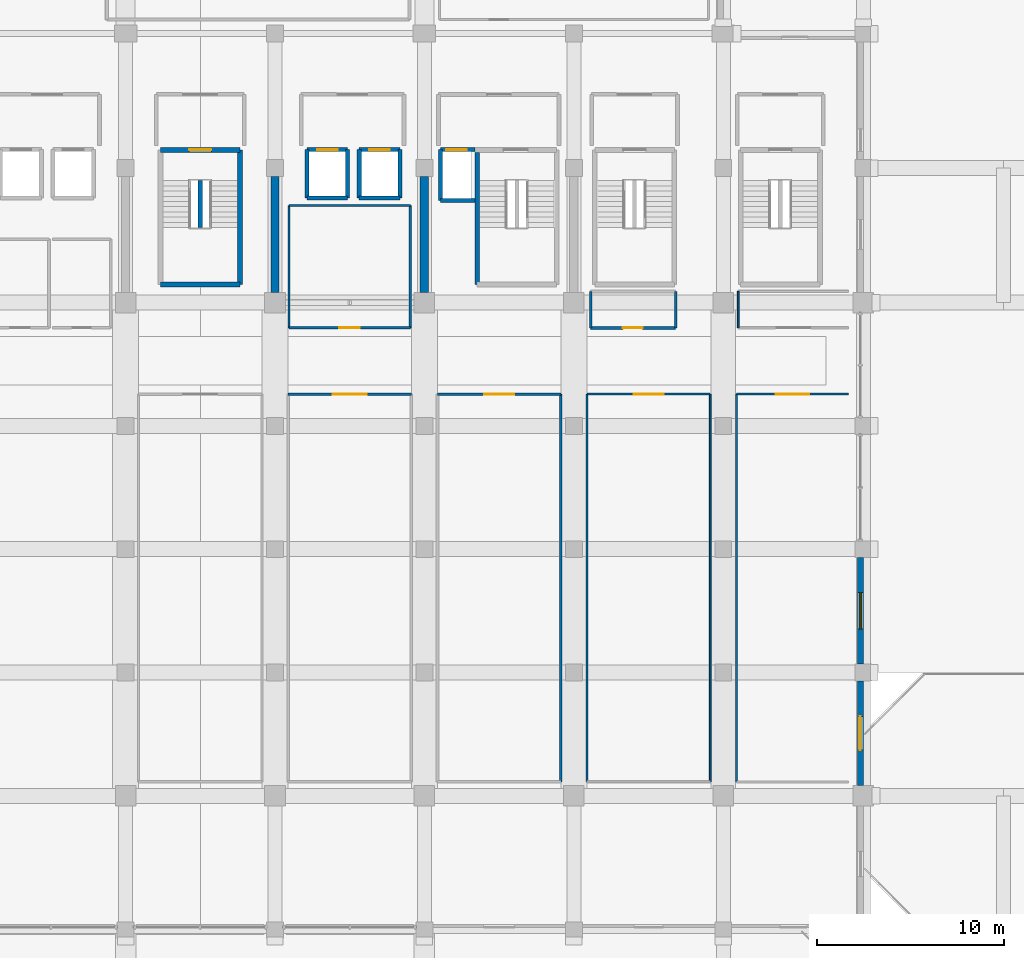
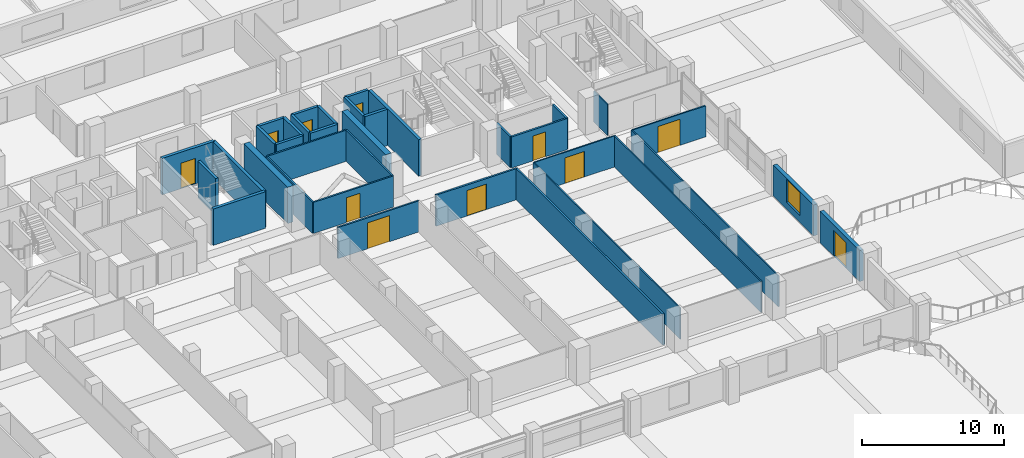
# One storey, part 38 of 49: 36 walls, 11 doors, 1 window, 12 openings.
"""IFC4 building model written with IfcOpenShell, lengths in metres."""

from ifc_helpers import new_model, si_unit, direction, frame, frame_2d, origin, place, context, subcontext, project, spatial, rectangle, extrude, material, layer, layer_set, type_object, element, fill, save


model = new_model("IFC4")

# Units and contexts
model_context = context("Model", 3, precision=1e-05, world=origin(), true_north=direction((0.0, 1.0)))
body_context = subcontext(model_context, "Body", "Model", "MODEL_VIEW")
ifc_project = project(units=[si_unit("LENGTHUNIT", "METRE"), si_unit("AREAUNIT", "SQUARE_METRE"), si_unit("VOLUMEUNIT", "CUBIC_METRE"), si_unit("PLANEANGLEUNIT", "RADIAN"), si_unit("MASSUNIT", "GRAM", prefix="KILO")], contexts=[model_context])

# Site, building, storey
site_placement = place(None, origin())
site = spatial("IfcSite", under=ifc_project, at=site_placement, CompositionType="ELEMENT")
building_placement = place(site_placement, origin())
building = spatial("IfcBuilding", under=site, at=building_placement, Name="Akrevak Sports Hall", CompositionType="ELEMENT")
storey_placement = place(building_placement, frame((0.0, 0.0, 24.14990234375)))
storey = spatial("IfcBuildingStorey", under=building, at=storey_placement, Name="L04", CompositionType="ELEMENT", Elevation=24.14990234375)

# Wall, opening, door
ifc_material_1 = material(Name="Limestone Ashlar", Category="stone")
ifc_layer_1 = layer(ifc_material_1, 0.070068359375, Name="Limestone Ashlar")
ifc_material_2 = material(Name="Mineral Wool Thermal Insulation", Category="insulation")
ifc_layer_2 = layer(ifc_material_2, 0.090087890625, Name="Mineral Wool Thermal Insulation")
ifc_material_3 = material(Name="Concrete C40/50", Category="concrete")
ifc_layer_3 = layer(ifc_material_3, 0.159912109375, Name="Concrete C40/50")
ifc_layer_set_1 = layer_set([ifc_layer_1, ifc_layer_2, ifc_layer_3], Name="Limestone Ashlar / Mineral Wool Thermal Insulation / Concrete C40/50")
wall_type_1 = type_object("IfcWallType", Name="ARC-WL-EXT-320", PredefinedType="SOLIDWALL", material=ifc_layer_set_1)
wall_1_placement = place(storey_placement, frame((115.340087890625, 29.35009765625, 0.0), z_axis=(0.0, 0.0, 1.0), x_axis=(0.0, 1.0, 0.0)))
wall_1 = element("IfcWall", 1, at=wall_1_placement, inside=storey, type_object=wall_type_1, Name="Tower Stone Facade Wall L04-E12", PredefinedType="SOLIDWALL", context=body_context, shape_type="SweptSolid", body=[
    extrude(rectangle(XDim=5.599853515625, YDim=0.320068359375, at=frame_2d((2.7998046875, 0.0))), origin(), (0.0, 0.0, 1.0), 2.68017578125),
])
opening_1_placement = place(wall_1_placement, frame((1.89990234375, 0.0, 0.0)))
opening_1 = element("IfcOpeningElement", 2, at=opening_1_placement, cuts=wall_1, Name="Opening TD-01", PredefinedType="OPENING", context=body_context, shape_type="SweptSolid", body=[
    extrude(rectangle(XDim=1.800048828125, YDim=2.199951171875, at=frame_2d((0.89990234375, 1.10009765625))), frame((0.0, 0.171875, 0.0), z_axis=(0.0, -1.0, 0.0), x_axis=(1.0, 0.0, 0.0)), (0.0, 0.0, 1.0), 0.343994140625),
])
ifc_material_4 = material(Name="Anodized Bronze Aluminium & Tempered Glass", Category="aluminium")
door_type_1 = type_object("IfcDoorType", Name="ARC-DR-TERR-180x220", OperationType="DOUBLE_DOOR_SINGLE_SWING", PredefinedType="DOOR", material=ifc_material_4)
door_1_placement = place(opening_1_placement, frame((1.800048828125, 0.0, 0.0), z_axis=(0.0, 0.0, 1.0), x_axis=(-1.0, 0.0, 0.0)))
door_1 = element("IfcDoor", 3, at=door_1_placement, inside=storey, type_object=door_type_1, Name="Podium East Garden Terrace Door TD-02", OperationType="DOUBLE_DOOR_SINGLE_SWING", OverallHeight=2.199951171875, OverallWidth=1.800048828125, PredefinedType="DOOR", context=body_context, shape_type="SweptSolid", body=[
    extrude(rectangle(XDim=1.800048828125, YDim=2.199951171875, at=frame_2d((0.89990234375, 1.10009765625))), frame((0.0, 0.02490234375, 0.0), z_axis=(0.0, -1.0, 0.0), x_axis=(1.0, 0.0, 0.0)), (0.0, 0.0, 1.0), 0.050048828125),
])
fill(opening_1, door_1)

# Wall, opening, window
wall_2_placement = place(storey_placement, frame((115.340087890625, 35.85009765625, 0.0), z_axis=(0.0, 0.0, 1.0), x_axis=(0.0, 1.0, 0.0)))
wall_2 = element("IfcWall", 4, at=wall_2_placement, inside=storey, type_object=wall_type_1, Name="Tower Stone Facade Wall L04-E13", PredefinedType="SOLIDWALL", context=body_context, shape_type="SweptSolid", body=[
    extrude(rectangle(XDim=5.699951171875, YDim=0.320068359375, at=frame_2d((2.85009765625, 0.0))), origin(), (0.0, 0.0, 1.0), 2.68017578125),
])
opening_2_placement = place(wall_2_placement, frame((1.875, 0.0, 0.6201171875)))
opening_2 = element("IfcOpeningElement", 5, at=opening_2_placement, cuts=wall_2, Name="Opening WN-44", PredefinedType="OPENING", context=body_context, shape_type="SweptSolid", body=[
    extrude(rectangle(XDim=1.949951171875, YDim=1.9599609375, at=frame_2d((0.97509765625, 0.97998046875))), frame((0.0, 0.171875, 0.0), z_axis=(0.0, -1.0, 0.0), x_axis=(1.0, 0.0, 0.0)), (0.0, 0.0, 1.0), 0.343994140625),
])
ifc_material_5 = material(Name="Thermally Broken Bronze Frame & Double Low-E Glass", Category="glass")
window_type = type_object("IfcWindowType", Name="ARC-WIN-SZ-1950x1960", PartitioningType="SINGLE_PANEL", PredefinedType="WINDOW", material=ifc_material_5)
window_placement = place(opening_2_placement, origin())
window = element("IfcWindow", 6, at=window_placement, inside=storey, type_object=window_type, Name="Tower Window L04-E13", OverallHeight=1.9599609375, OverallWidth=1.949951171875, PartitioningType="SINGLE_PANEL", PredefinedType="WINDOW", context=body_context, shape_type="SweptSolid", body=[
    extrude(rectangle(XDim=1.949951171875, YDim=1.9599609375, at=frame_2d((0.97509765625, 0.97998046875))), frame((0.0, 0.030029296875, 0.0), z_axis=(0.0, -1.0, 0.0), x_axis=(1.0, 0.0, 0.0)), (0.0, 0.0, 1.0), 0.06005859375),
])
fill(opening_2, window)

# Wall, opening, door
ifc_material_6 = material(Name="Sanitary Cubicle Partition", Category="gypsum")
ifc_layer_4 = layer(ifc_material_6, 0.10009765625, Name="Sanitary Cubicle Partition")
ifc_layer_set_2 = layer_set([ifc_layer_4], Name="Sanitary Cubicle Partition")
wall_type_2 = type_object("IfcWallType", Name="ARC-WL-PRT-100", PredefinedType="PARTITIONING", material=ifc_layer_set_2)
wall_3_placement = place(storey_placement, frame((100.699951171875, 50.300048828125, 0.0), z_axis=(0.0, 0.0, 1.0), x_axis=(1.0, 0.0, 0.0)))
wall_3 = element("IfcWall", 7, at=wall_3_placement, inside=storey, type_object=wall_type_2, Name="Interior Partition Bosphorus Honors Reception Salon (N)", PredefinedType="PARTITIONING", context=body_context, shape_type="SweptSolid", body=[
    extrude(rectangle(XDim=6.60009765625, YDim=0.10009765625, at=frame_2d((3.300048828125, 0.0))), origin(), (0.0, 0.0, 1.0), 2.68017578125),
])
opening_3_placement = place(wall_3_placement, frame((2.5, 0.0, 0.0)))
opening_3 = element("IfcOpeningElement", 8, at=opening_3_placement, cuts=wall_3, Name="Opening ID-03", PredefinedType="OPENING", context=body_context, shape_type="SweptSolid", body=[
    extrude(rectangle(XDim=1.60009765625, YDim=2.199951171875, at=frame_2d((0.800048828125, 1.10009765625))), frame((0.0, 0.06201171875, 0.0), z_axis=(0.0, -1.0, 0.0), x_axis=(1.0, 0.0, 0.0)), (0.0, 0.0, 1.0), 0.1240234375),
])
ifc_material_7 = material(Name="Hardwood Oak & Safety Glass", Category="wood")
door_type_2 = type_object("IfcDoorType", Name="ARC-DR-HALL-160x220", OperationType="DOUBLE_DOOR_SINGLE_SWING", PredefinedType="DOOR", material=ifc_material_7)
door_2_placement = place(opening_3_placement, origin())
door_2 = element("IfcDoor", 9, at=door_2_placement, inside=storey, type_object=door_type_2, Name="Door to Bosphorus Honors Reception Salon", OperationType="DOUBLE_DOOR_SINGLE_SWING", OverallHeight=2.199951171875, OverallWidth=1.60009765625, PredefinedType="DOOR", context=body_context, shape_type="SweptSolid", body=[
    extrude(rectangle(XDim=1.60009765625, YDim=2.199951171875, at=frame_2d((0.800048828125, 1.10009765625))), frame((0.0, 0.02490234375, 0.0), z_axis=(0.0, -1.0, 0.0), x_axis=(1.0, 0.0, 0.0)), (0.0, 0.0, 1.0), 0.050048828125),
])
fill(opening_3, door_2)

# Walls
for number, where, z_axis, x_axis, name in (
    (10, (100.699951171875, 29.550048828125, 0.0), (0.0, 0.0, 1.0), (0.0, 1.0, 0.0), "Interior Partition Bosphorus Honors Reception Salon (W)"),
    (11, (107.300048828125, 29.550048828125, 0.0), (0.0, 0.0, 1.0), (0.0, 1.0, 0.0), "Interior Partition Bosphorus Honors Reception Salon (E)"),
):
    element("IfcWall", number, at=place(storey_placement, frame(where, z_axis=z_axis, x_axis=x_axis)), inside=storey, type_object=wall_type_2, Name=name, PredefinedType="PARTITIONING", context=body_context, shape_type="SweptSolid", body=[
        extrude(rectangle(XDim=20.75, YDim=0.10009765625, at=frame_2d((10.375, 0.0))), origin(), (0.0, 0.0, 1.0), 2.68017578125),
    ])
wall_4_placement = place(storey_placement, frame((108.800048828125, 53.85009765625, 0.0), z_axis=(0.0, 0.0, 1.0), x_axis=(0.0, 1.0, 0.0)))
element("IfcWall", 12, at=wall_4_placement, inside=storey, type_object=wall_type_2, Name="Interior Partition Athletic Equipment & Trophy Storage L04 (W)", PredefinedType="PARTITIONING", context=body_context, shape_type="SweptSolid", body=[
    extrude(rectangle(XDim=1.949951171875, YDim=0.10009765625, at=frame_2d((0.97509765625, 0.0))), origin(), (0.0, 0.0, 1.0), 2.68017578125),
])

# Wall, opening, door
ifc_material_8 = material(Name="Lightweight Office Partition", Category="gypsum")
ifc_layer_5 = layer(ifc_material_8, 0.110107421875, Name="Lightweight Office Partition")
ifc_layer_set_3 = layer_set([ifc_layer_5], Name="Lightweight Office Partition")
wall_type_3 = type_object("IfcWallType", Name="ARC-WL-PRT-110", PredefinedType="PARTITIONING", material=ifc_layer_set_3)
wall_5_placement = place(storey_placement, frame((108.699951171875, 50.300048828125, 0.0), z_axis=(0.0, 0.0, 1.0), x_axis=(1.0, 0.0, 0.0)))
wall_5 = element("IfcWall", 13, at=wall_5_placement, inside=storey, type_object=wall_type_3, Name="Interior Partition Olympic Museum & Honors Salon East (N)", PredefinedType="PARTITIONING", context=body_context, shape_type="SweptSolid", body=[
    extrude(rectangle(XDim=6.0, YDim=0.110107421875, at=frame_2d((3.0, 0.0))), origin(), (0.0, 0.0, 1.0), 2.68017578125),
])
opening_4_placement = place(wall_5_placement, frame((2.10009765625, 0.0, 0.0)))
opening_4 = element("IfcOpeningElement", 14, at=opening_4_placement, cuts=wall_5, Name="Opening ID-02", PredefinedType="OPENING", context=body_context, shape_type="SweptSolid", body=[
    extrude(rectangle(XDim=1.800048828125, YDim=2.25, at=frame_2d((0.89990234375, 1.125))), frame((0.0, 0.06689453125, 0.0), z_axis=(0.0, -1.0, 0.0), x_axis=(1.0, 0.0, 0.0)), (0.0, 0.0, 1.0), 0.134033203125),
])
door_type_3 = type_object("IfcDoorType", Name="ARC-DR-HALL-180x225", OperationType="DOUBLE_DOOR_SINGLE_SWING", PredefinedType="DOOR", material=ifc_material_7)
door_3_placement = place(opening_4_placement, origin())
door_3 = element("IfcDoor", 15, at=door_3_placement, inside=storey, type_object=door_type_3, Name="Door to Olympic Museum & Honors Salon East", OperationType="DOUBLE_DOOR_SINGLE_SWING", OverallHeight=2.25, OverallWidth=1.800048828125, PredefinedType="DOOR", context=body_context, shape_type="SweptSolid", body=[
    extrude(rectangle(XDim=1.800048828125, YDim=2.25, at=frame_2d((0.89990234375, 1.125))), frame((0.0, 0.02490234375, 0.0), z_axis=(0.0, -1.0, 0.0), x_axis=(1.0, 0.0, 0.0)), (0.0, 0.0, 1.0), 0.050048828125),
])
fill(opening_4, door_3)

# Wall
wall_6_placement = place(storey_placement, frame((108.699951171875, 29.550048828125, 0.0), z_axis=(0.0, 0.0, 1.0), x_axis=(0.0, 1.0, 0.0)))
element("IfcWall", 16, at=wall_6_placement, inside=storey, type_object=wall_type_3, Name="Interior Partition Olympic Museum & Honors Salon East (W)", PredefinedType="PARTITIONING", context=body_context, shape_type="SweptSolid", body=[
    extrude(rectangle(XDim=20.75, YDim=0.110107421875, at=frame_2d((10.375, 0.0))), origin(), (0.0, 0.0, 1.0), 2.68017578125),
])

# Wall, opening, door
ifc_material_9 = material(Name="Acoustic Metal Stud Partition", Category="gypsum")
ifc_layer_6 = layer(ifc_material_9, 0.1298828125, Name="Acoustic Metal Stud Partition")
ifc_layer_set_4 = layer_set([ifc_layer_6], Name="Acoustic Metal Stud Partition")
wall_type_4 = type_object("IfcWallType", Name="ARC-WL-PRT-130", PredefinedType="PARTITIONING", material=ifc_layer_set_4)
wall_7_placement = place(storey_placement, frame((84.699951171875, 50.300048828125, 0.0), z_axis=(0.0, 0.0, 1.0), x_axis=(1.0, 0.0, 0.0)))
wall_7 = element("IfcWall", 17, at=wall_7_placement, inside=storey, type_object=wall_type_4, Name="Interior Partition Olympic Heritage Exhibition Gallery 2 (N)", PredefinedType="PARTITIONING", context=body_context, shape_type="SweptSolid", body=[
    extrude(rectangle(XDim=6.60009765625, YDim=0.1298828125, at=frame_2d((3.300048828125, 0.0))), origin(), (0.0, 0.0, 1.0), 2.68017578125),
])
opening_5_placement = place(wall_7_placement, frame((2.39990234375, 0.0, 0.0)))
opening_5 = element("IfcOpeningElement", 18, at=opening_5_placement, cuts=wall_7, Name="Opening ID-02", PredefinedType="OPENING", context=body_context, shape_type="SweptSolid", body=[
    extrude(rectangle(XDim=1.800048828125, YDim=2.25, at=frame_2d((0.89990234375, 1.125))), frame((0.0, 0.076904296875, 0.0), z_axis=(0.0, -1.0, 0.0), x_axis=(1.0, 0.0, 0.0)), (0.0, 0.0, 1.0), 0.15380859375),
])
door_4_placement = place(opening_5_placement, origin())
door_4 = element("IfcDoor", 19, at=door_4_placement, inside=storey, type_object=door_type_3, Name="Door to Olympic Heritage Exhibition Gallery 2", OperationType="DOUBLE_DOOR_SINGLE_SWING", OverallHeight=2.25, OverallWidth=1.800048828125, PredefinedType="DOOR", context=body_context, shape_type="SweptSolid", body=[
    extrude(rectangle(XDim=1.800048828125, YDim=2.25, at=frame_2d((0.89990234375, 1.125))), frame((0.0, 0.02490234375, 0.0), z_axis=(0.0, -1.0, 0.0), x_axis=(1.0, 0.0, 0.0)), (0.0, 0.0, 1.0), 0.050048828125),
])
fill(opening_5, door_4)

wall_8_placement = place(storey_placement, frame((84.75, 53.85009765625, 0.0), z_axis=(0.0, 0.0, 1.0), x_axis=(1.0, 0.0, 0.0)))
wall_8 = element("IfcWall", 20, at=wall_8_placement, inside=storey, type_object=wall_type_4, Name="Interior Partition Tournament Operations Office L04-E1 (S)", PredefinedType="PARTITIONING", context=body_context, shape_type="SweptSolid", body=[
    extrude(rectangle(XDim=6.5, YDim=0.1298828125, at=frame_2d((3.25, 0.0))), origin(), (0.0, 0.0, 1.0), 2.68017578125),
])
opening_6_placement = place(wall_8_placement, frame((2.699951171875, 0.0, 0.0)))
opening_6 = element("IfcOpeningElement", 21, at=opening_6_placement, cuts=wall_8, Name="Opening ID-04", PredefinedType="OPENING", context=body_context, shape_type="SweptSolid", body=[
    extrude(rectangle(XDim=1.10009765625, YDim=2.14990234375, at=frame_2d((0.550048828125, 1.074951171875))), frame((0.0, 0.076904296875, 0.0), z_axis=(0.0, -1.0, 0.0), x_axis=(1.0, 0.0, 0.0)), (0.0, 0.0, 1.0), 0.15380859375),
])
ifc_material_10 = material(Name="Hardwood Oak Acoustic Leaf", Category="wood")
door_type_4 = type_object("IfcDoorType", Name="ARC-DR-OFF-110x215", OperationType="NOTDEFINED", PredefinedType="DOOR", material=ifc_material_10)
door_5_placement = place(opening_6_placement, frame((1.10009765625, 0.0, 0.0), z_axis=(0.0, 0.0, 1.0), x_axis=(-1.0, 0.0, 0.0)))
door_5 = element("IfcDoor", 22, at=door_5_placement, inside=storey, type_object=door_type_4, Name="Door to Tournament Operations Office L04-E1", OperationType="SINGLE_SWING_RIGHT", OverallHeight=2.14990234375, OverallWidth=1.10009765625, PredefinedType="DOOR", context=body_context, shape_type="SweptSolid", body=[
    extrude(rectangle(XDim=1.10009765625, YDim=2.14990234375, at=frame_2d((0.550048828125, 1.074951171875))), frame((0.0, 0.02490234375, 0.0), z_axis=(0.0, -1.0, 0.0), x_axis=(1.0, 0.0, 0.0)), (0.0, 0.0, 1.0), 0.050048828125),
])
fill(opening_6, door_5)

# Walls
wall_9_placement = place(storey_placement, frame((84.75, 60.39990234375, 0.0), z_axis=(0.0, 0.0, 1.0), x_axis=(1.0, 0.0, 0.0)))
element("IfcWall", 23, at=wall_9_placement, inside=storey, type_object=wall_type_4, Name="Interior Partition Tournament Operations Office L04-E1 (N)", PredefinedType="PARTITIONING", context=body_context, shape_type="SweptSolid", body=[
    extrude(rectangle(XDim=6.5, YDim=0.1298828125, at=frame_2d((3.25, 0.0))), origin(), (0.0, 0.0, 1.0), 2.68017578125),
])
for number, where, z_axis, x_axis, name in (
    (24, (84.75, 53.85009765625, 0.0), (0.0, 0.0, 1.0), (0.0, 1.0, 0.0), "Interior Partition Tournament Operations Office L04-E1 (W)"),
    (25, (91.25, 53.85009765625, 0.0), (0.0, 0.0, 1.0), (0.0, 1.0, 0.0), "Interior Partition Tournament Operations Office L04-E1 (E)"),
):
    element("IfcWall", number, at=place(storey_placement, frame(where, z_axis=z_axis, x_axis=x_axis)), inside=storey, type_object=wall_type_4, Name=name, PredefinedType="PARTITIONING", context=body_context, shape_type="SweptSolid", body=[
        extrude(rectangle(XDim=6.5498046875, YDim=0.1298828125, at=frame_2d((3.27490234375, 0.0))), origin(), (0.0, 0.0, 1.0), 2.68017578125),
    ])

# Wall, opening, door
ifc_material_11 = material(Name="Double Stud Acoustic Gypsum Partition", Category="gypsum")
ifc_layer_7 = layer(ifc_material_11, 0.14990234375, Name="Double Stud Acoustic Gypsum Partition")
ifc_layer_set_5 = layer_set([ifc_layer_7], Name="Double Stud Acoustic Gypsum Partition")
wall_type_5 = type_object("IfcWallType", Name="ARC-WL-PRT-150", PredefinedType="PARTITIONING", material=ifc_layer_set_5)
wall_10_placement = place(storey_placement, frame((92.699951171875, 50.300048828125, 0.0), z_axis=(0.0, 0.0, 1.0), x_axis=(1.0, 0.0, 0.0)))
wall_10 = element("IfcWall", 26, at=wall_10_placement, inside=storey, type_object=wall_type_5, Name="Interior Partition International Sports Diplomacy Salon (N)", PredefinedType="PARTITIONING", context=body_context, shape_type="SweptSolid", body=[
    extrude(rectangle(XDim=6.60009765625, YDim=0.14990234375, at=frame_2d((3.300048828125, 0.0))), origin(), (0.0, 0.0, 1.0), 2.68017578125),
])
opening_7_placement = place(wall_10_placement, frame((2.5, 0.0, 0.0)))
opening_7 = element("IfcOpeningElement", 27, at=opening_7_placement, cuts=wall_10, Name="Opening ID-03", PredefinedType="OPENING", context=body_context, shape_type="SweptSolid", body=[
    extrude(rectangle(XDim=1.60009765625, YDim=2.199951171875, at=frame_2d((0.800048828125, 1.10009765625))), frame((0.0, 0.0869140625, 0.0), z_axis=(0.0, -1.0, 0.0), x_axis=(1.0, 0.0, 0.0)), (0.0, 0.0, 1.0), 0.173828125),
])
door_6_placement = place(opening_7_placement, origin())
door_6 = element("IfcDoor", 28, at=door_6_placement, inside=storey, type_object=door_type_2, Name="Door to International Sports Diplomacy Salon", OperationType="DOUBLE_DOOR_SINGLE_SWING", OverallHeight=2.199951171875, OverallWidth=1.60009765625, PredefinedType="DOOR", context=body_context, shape_type="SweptSolid", body=[
    extrude(rectangle(XDim=1.60009765625, YDim=2.199951171875, at=frame_2d((0.800048828125, 1.10009765625))), frame((0.0, 0.02490234375, 0.0), z_axis=(0.0, -1.0, 0.0), x_axis=(1.0, 0.0, 0.0)), (0.0, 0.0, 1.0), 0.050048828125),
])
fill(opening_7, door_6)

# Wall
wall_11_placement = place(storey_placement, frame((99.300048828125, 29.550048828125, 0.0), z_axis=(0.0, 0.0, 1.0), x_axis=(0.0, 1.0, 0.0)))
element("IfcWall", 29, at=wall_11_placement, inside=storey, type_object=wall_type_5, Name="Interior Partition International Sports Diplomacy Salon (E)", PredefinedType="PARTITIONING", context=body_context, shape_type="SweptSolid", body=[
    extrude(rectangle(XDim=20.75, YDim=0.14990234375, at=frame_2d((10.375, 0.0))), origin(), (0.0, 0.0, 1.0), 2.68017578125),
])

# Wall, opening, door
wall_12_placement = place(storey_placement, frame((100.89990234375, 53.85009765625, 0.0), z_axis=(0.0, 0.0, 1.0), x_axis=(1.0, 0.0, 0.0)))
wall_12 = element("IfcWall", 30, at=wall_12_placement, inside=storey, type_object=wall_type_5, Name="Interior Partition Tournament Operations Office L04-E2 (S)", PredefinedType="PARTITIONING", context=body_context, shape_type="SweptSolid", body=[
    extrude(rectangle(XDim=4.550048828125, YDim=0.14990234375, at=frame_2d((2.27490234375, 0.0))), origin(), (0.0, 0.0, 1.0), 2.68017578125),
])
opening_8_placement = place(wall_12_placement, frame((1.72509765625, 0.0, 0.0)))
opening_8 = element("IfcOpeningElement", 31, at=opening_8_placement, cuts=wall_12, Name="Opening ID-05", PredefinedType="OPENING", context=body_context, shape_type="SweptSolid", body=[
    extrude(rectangle(XDim=1.050048828125, YDim=2.14990234375, at=frame_2d((0.52490234375, 1.074951171875))), frame((0.0, 0.0869140625, 0.0), z_axis=(0.0, -1.0, 0.0), x_axis=(1.0, 0.0, 0.0)), (0.0, 0.0, 1.0), 0.173828125),
])
door_type_5 = type_object("IfcDoorType", Name="ARC-DR-OFF-105x215", OperationType="NOTDEFINED", PredefinedType="DOOR", material=ifc_material_10)
door_7_placement = place(opening_8_placement, origin())
door_7 = element("IfcDoor", 32, at=door_7_placement, inside=storey, type_object=door_type_5, Name="Door to Tournament Operations Office L04-E2", OperationType="SINGLE_SWING_LEFT", OverallHeight=2.14990234375, OverallWidth=1.050048828125, PredefinedType="DOOR", context=body_context, shape_type="SweptSolid", body=[
    extrude(rectangle(XDim=1.050048828125, YDim=2.14990234375, at=frame_2d((0.52490234375, 1.074951171875))), frame((0.0, 0.02490234375, 0.0), z_axis=(0.0, -1.0, 0.0), x_axis=(1.0, 0.0, 0.0)), (0.0, 0.0, 1.0), 0.050048828125),
])
fill(opening_8, door_7)

# Walls
for number, where, z_axis, x_axis, name in (
    (33, (100.89990234375, 53.85009765625, 0.0), (0.0, 0.0, 1.0), (0.0, 1.0, 0.0), "Interior Partition Tournament Operations Office L04-E2 (W)"),
    (34, (105.449951171875, 53.85009765625, 0.0), (0.0, 0.0, 1.0), (0.0, 1.0, 0.0), "Interior Partition Tournament Operations Office L04-E2 (E)"),
):
    element("IfcWall", number, at=place(storey_placement, frame(where, z_axis=z_axis, x_axis=x_axis)), inside=storey, type_object=wall_type_5, Name=name, PredefinedType="PARTITIONING", context=body_context, shape_type="SweptSolid", body=[
        extrude(rectangle(XDim=1.949951171875, YDim=0.14990234375, at=frame_2d((0.97509765625, 0.0))), origin(), (0.0, 0.0, 1.0), 2.68017578125),
    ])
ifc_layer_8 = layer(ifc_material_3, 0.219970703125, Name="Concrete C40/50")
ifc_layer_set_6 = layer_set([ifc_layer_8], Name="Concrete C40/50")
wall_type_6 = type_object("IfcWallType", Name="ARC-WL-PRT-220", PredefinedType="PARTITIONING", material=ifc_layer_set_6)
wall_13_placement = place(storey_placement, frame((80.0, 59.215087890625, 0.0), z_axis=(0.0, 0.0, 1.0), x_axis=(0.0, 1.0, 0.0)))
element("IfcWall", 35, at=wall_13_placement, inside=storey, type_object=wall_type_6, Name="Stair ST3 Central Spine Wall (L04)", PredefinedType="PARTITIONING", context=body_context, shape_type="SweptSolid", body=[
    extrude(rectangle(XDim=2.52001953125, YDim=0.219970703125, at=frame_2d((1.260009765625, 0.0))), origin(), (0.0, 0.0, 1.0), 3.14013671875),
])
ifc_material_12 = material(Name="Concrete C50/60", Category="concrete")
ifc_layer_9 = layer(ifc_material_12, 0.219970703125, Name="Concrete C50/60")
ifc_layer_set_7 = layer_set([ifc_layer_9], Name="Concrete C50/60")
wall_type_7 = type_object("IfcWallType", Name="ARC-WL-SHAFT-220", PredefinedType="SHEAR", material=ifc_layer_set_7)
wall_14_placement = place(storey_placement, frame((92.860107421875, 60.659912109375, 0.0), z_axis=(0.0, 0.0, 1.0), x_axis=(1.0, 0.0, 0.0)))
element("IfcWall", 36, at=wall_14_placement, inside=storey, type_object=wall_type_7, Name="Lift Shaft LF-FF2 Wall S (L04)", PredefinedType="SHEAR", context=body_context, shape_type="SweptSolid", body=[
    extrude(rectangle(XDim=1.83984375, YDim=0.219970703125, at=frame_2d((0.919921875, 0.0))), origin(), (0.0, 0.0, 1.0), 3.14013671875),
])

# Wall, opening, door
wall_15_placement = place(storey_placement, frame((94.699951171875, 63.389892578125, 0.0), z_axis=(0.0, 0.0, 1.0), x_axis=(-1.0, 0.0, 0.0)))
wall_15 = element("IfcWall", 37, at=wall_15_placement, inside=storey, type_object=wall_type_7, Name="Lift Shaft LF-FF2 Wall N (L04)", PredefinedType="SHEAR", context=body_context, shape_type="SweptSolid", body=[
    extrude(rectangle(XDim=1.83984375, YDim=0.219970703125, at=frame_2d((0.919921875, 0.0))), origin(), (0.0, 0.0, 1.0), 3.14013671875),
])
opening_9_placement = place(wall_15_placement, frame((0.425048828125, 0.0, 0.0)))
opening_9 = element("IfcOpeningElement", 38, at=opening_9_placement, cuts=wall_15, Name="Opening LD-01", PredefinedType="OPENING", context=body_context, shape_type="SweptSolid", body=[
    extrude(rectangle(XDim=1.10009765625, YDim=2.199951171875, at=frame_2d((0.550048828125, 1.10009765625))), frame((0.0, 0.1220703125, 0.0), z_axis=(0.0, -1.0, 0.0), x_axis=(1.0, 0.0, 0.0)), (0.0, 0.0, 1.0), 0.243896484375),
])
ifc_material_13 = material(Name="Brushed Stainless Steel 304", Category="steel")
door_type_6 = type_object("IfcDoorType", Name="ARC-DR-LD-110x220", OperationType="SLIDING_TO_LEFT", PredefinedType="DOOR", material=ifc_material_13)
door_8_placement = place(opening_9_placement, origin())
door_8 = element("IfcDoor", 39, at=door_8_placement, inside=storey, type_object=door_type_6, Name="Lift LF-FF2 Sliding Landing Door (L04)", OperationType="SLIDING_TO_LEFT", OverallHeight=2.199951171875, OverallWidth=1.10009765625, PredefinedType="DOOR", context=body_context, shape_type="SweptSolid", body=[
    extrude(rectangle(XDim=1.10009765625, YDim=2.199951171875, at=frame_2d((0.550048828125, 1.10009765625))), frame((0.0, 0.02490234375, 0.0), z_axis=(0.0, -1.0, 0.0), x_axis=(1.0, 0.0, 0.0)), (0.0, 0.0, 1.0), 0.050048828125),
])
fill(opening_9, door_8)

# Walls
wall_16_placement = place(storey_placement, frame((92.860107421875, 63.389892578125, 0.0), z_axis=(0.0, 0.0, 1.0), x_axis=(0.0, -1.0, 0.0)))
element("IfcWall", 40, at=wall_16_placement, inside=storey, type_object=wall_type_7, Name="Lift Shaft LF-FF2 Wall W (L04)", PredefinedType="SHEAR", context=body_context, shape_type="SweptSolid", body=[
    extrude(rectangle(XDim=2.72998046875, YDim=0.219970703125, at=frame_2d((1.364990234375, 0.0))), origin(), (0.0, 0.0, 1.0), 3.14013671875),
])
wall_17_placement = place(storey_placement, frame((85.7099609375, 60.81005859375, 0.0), z_axis=(0.0, 0.0, 1.0), x_axis=(1.0, 0.0, 0.0)))
element("IfcWall", 41, at=wall_17_placement, inside=storey, type_object=wall_type_7, Name="Lift Shaft LF-P3 Wall S (L04)", PredefinedType="SHEAR", context=body_context, shape_type="SweptSolid", body=[
    extrude(rectangle(XDim=2.179931640625, YDim=0.219970703125, at=frame_2d((1.08984375, 0.0))), origin(), (0.0, 0.0, 1.0), 3.14013671875),
])

# Wall, opening, door
wall_18_placement = place(storey_placement, frame((87.889892578125, 63.389892578125, 0.0), z_axis=(0.0, 0.0, 1.0), x_axis=(-1.0, 0.0, 0.0)))
wall_18 = element("IfcWall", 42, at=wall_18_placement, inside=storey, type_object=wall_type_7, Name="Lift Shaft LF-P3 Wall N (L04)", PredefinedType="SHEAR", context=body_context, shape_type="SweptSolid", body=[
    extrude(rectangle(XDim=2.179931640625, YDim=0.219970703125, at=frame_2d((1.08984375, 0.0))), origin(), (0.0, 0.0, 1.0), 3.14013671875),
])
opening_10_placement = place(wall_18_placement, frame((0.5400390625, 0.0, 0.0)))
opening_10 = element("IfcOpeningElement", 43, at=opening_10_placement, cuts=wall_18, Name="Opening LD-01", PredefinedType="OPENING", context=body_context, shape_type="SweptSolid", body=[
    extrude(rectangle(XDim=1.10009765625, YDim=2.199951171875, at=frame_2d((0.550048828125, 1.10009765625))), frame((0.0, 0.1220703125, 0.0), z_axis=(0.0, -1.0, 0.0), x_axis=(1.0, 0.0, 0.0)), (0.0, 0.0, 1.0), 0.243896484375),
])
door_9_placement = place(opening_10_placement, origin())
door_9 = element("IfcDoor", 44, at=door_9_placement, inside=storey, type_object=door_type_6, Name="Lift LF-P3 Sliding Landing Door (L04)", OperationType="SLIDING_TO_LEFT", OverallHeight=2.199951171875, OverallWidth=1.10009765625, PredefinedType="DOOR", context=body_context, shape_type="SweptSolid", body=[
    extrude(rectangle(XDim=1.10009765625, YDim=2.199951171875, at=frame_2d((0.550048828125, 1.10009765625))), frame((0.0, 0.02490234375, 0.0), z_axis=(0.0, -1.0, 0.0), x_axis=(1.0, 0.0, 0.0)), (0.0, 0.0, 1.0), 0.050048828125),
])
fill(opening_10, door_9)

# Walls
for number, where, z_axis, x_axis, name in (
    (45, (85.7099609375, 63.389892578125, 0.0), (0.0, 0.0, 1.0), (0.0, -1.0, 0.0), "Lift Shaft LF-P3 Wall W (L04)"),
    (46, (87.889892578125, 60.81005859375, 0.0), (0.0, 0.0, 1.0), (0.0, 1.0, 0.0), "Lift Shaft LF-P3 Wall E (L04)"),
):
    element("IfcWall", number, at=place(storey_placement, frame(where, z_axis=z_axis, x_axis=x_axis)), inside=storey, type_object=wall_type_7, Name=name, PredefinedType="SHEAR", context=body_context, shape_type="SweptSolid", body=[
        extrude(rectangle(XDim=2.579833984375, YDim=0.219970703125, at=frame_2d((1.2900390625, 0.0))), origin(), (0.0, 0.0, 1.0), 3.14013671875),
    ])
wall_19_placement = place(storey_placement, frame((88.510009765625, 60.81005859375, 0.0), z_axis=(0.0, 0.0, 1.0), x_axis=(1.0, 0.0, 0.0)))
element("IfcWall", 47, at=wall_19_placement, inside=storey, type_object=wall_type_7, Name="Lift Shaft LF-P4 Wall S (L04)", PredefinedType="SHEAR", context=body_context, shape_type="SweptSolid", body=[
    extrude(rectangle(XDim=2.179931640625, YDim=0.219970703125, at=frame_2d((1.08984375, 0.0))), origin(), (0.0, 0.0, 1.0), 3.14013671875),
])

# Wall, opening, door
wall_20_placement = place(storey_placement, frame((90.68994140625, 63.389892578125, 0.0), z_axis=(0.0, 0.0, 1.0), x_axis=(-1.0, 0.0, 0.0)))
wall_20 = element("IfcWall", 48, at=wall_20_placement, inside=storey, type_object=wall_type_7, Name="Lift Shaft LF-P4 Wall N (L04)", PredefinedType="SHEAR", context=body_context, shape_type="SweptSolid", body=[
    extrude(rectangle(XDim=2.179931640625, YDim=0.219970703125, at=frame_2d((1.08984375, 0.0))), origin(), (0.0, 0.0, 1.0), 3.14013671875),
])
opening_11_placement = place(wall_20_placement, frame((0.5400390625, 0.0, 0.0)))
opening_11 = element("IfcOpeningElement", 49, at=opening_11_placement, cuts=wall_20, Name="Opening LD-01", PredefinedType="OPENING", context=body_context, shape_type="SweptSolid", body=[
    extrude(rectangle(XDim=1.10009765625, YDim=2.199951171875, at=frame_2d((0.550048828125, 1.10009765625))), frame((0.0, 0.1220703125, 0.0), z_axis=(0.0, -1.0, 0.0), x_axis=(1.0, 0.0, 0.0)), (0.0, 0.0, 1.0), 0.243896484375),
])
door_10_placement = place(opening_11_placement, origin())
door_10 = element("IfcDoor", 50, at=door_10_placement, inside=storey, type_object=door_type_6, Name="Lift LF-P4 Sliding Landing Door (L04)", OperationType="SLIDING_TO_LEFT", OverallHeight=2.199951171875, OverallWidth=1.10009765625, PredefinedType="DOOR", context=body_context, shape_type="SweptSolid", body=[
    extrude(rectangle(XDim=1.10009765625, YDim=2.199951171875, at=frame_2d((0.550048828125, 1.10009765625))), frame((0.0, 0.02490234375, 0.0), z_axis=(0.0, -1.0, 0.0), x_axis=(1.0, 0.0, 0.0)), (0.0, 0.0, 1.0), 0.050048828125),
])
fill(opening_11, door_10)

# Walls
for number, where, z_axis, x_axis, name in (
    (51, (88.510009765625, 63.389892578125, 0.0), (0.0, 0.0, 1.0), (0.0, -1.0, 0.0), "Lift Shaft LF-P4 Wall W (L04)"),
    (52, (90.68994140625, 60.81005859375, 0.0), (0.0, 0.0, 1.0), (0.0, 1.0, 0.0), "Lift Shaft LF-P4 Wall E (L04)"),
):
    element("IfcWall", number, at=place(storey_placement, frame(where, z_axis=z_axis, x_axis=x_axis)), inside=storey, type_object=wall_type_7, Name=name, PredefinedType="SHEAR", context=body_context, shape_type="SweptSolid", body=[
        extrude(rectangle(XDim=2.579833984375, YDim=0.219970703125, at=frame_2d((1.2900390625, 0.0))), origin(), (0.0, 0.0, 1.0), 3.14013671875),
    ])
ifc_layer_10 = layer(ifc_material_12, 0.449951171875, Name="Concrete C50/60")
ifc_layer_set_8 = layer_set([ifc_layer_10], Name="Concrete C50/60")
wall_type_8 = type_object("IfcWallType", Name="STR-WL-CORE-450", PredefinedType="SHEAR", material=ifc_layer_set_8)
for number, where, z_axis, x_axis, name in (
    (53, (84.0, 55.75, 0.0), (0.0, 0.0, 1.0), (0.0, 1.0, 0.0), "Reinforced Concrete Shear Wall SW-C2 (L04)"),
    (54, (92.0, 55.75, 0.0), (0.0, 0.0, 1.0), (0.0, 1.0, 0.0), "Reinforced Concrete Shear Wall SW-E1 (L04)"),
):
    element("IfcWall", number, at=place(storey_placement, frame(where, z_axis=z_axis, x_axis=x_axis)), inside=storey, type_object=wall_type_8, Name=name, PredefinedType="SHEAR", context=body_context, shape_type="SweptSolid", body=[
        extrude(rectangle(XDim=6.199951171875, YDim=0.449951171875, at=frame_2d((3.10009765625, 0.0))), origin(), (0.0, 0.0, 1.0), 3.14013671875),
    ])
ifc_layer_11 = layer(ifc_material_12, 0.25, Name="Concrete C50/60")
ifc_layer_set_9 = layer_set([ifc_layer_11], Name="Concrete C50/60")
wall_type_9 = type_object("IfcWallType", Name="STR-WL-STAIR-250", PredefinedType="SHEAR", material=ifc_layer_set_9)
wall_21_placement = place(storey_placement, frame((94.824951171875, 63.25, 0.0), z_axis=(0.0, 0.0, 1.0), x_axis=(0.0, -1.0, 0.0)))
element("IfcWall", 55, at=wall_21_placement, inside=storey, type_object=wall_type_9, Name="Stair Core ST2 Shear Wall W (L04)", PredefinedType="SHEAR", context=body_context, shape_type="SweptSolid", body=[
    extrude(rectangle(XDim=7.074951171875, YDim=0.25, at=frame_2d((3.53759765625, 0.0))), origin(), (0.0, 0.0, 1.0), 3.14013671875),
])
wall_22_placement = place(storey_placement, frame((77.875, 56.175048828125, 0.0), z_axis=(0.0, 0.0, 1.0), x_axis=(1.0, 0.0, 0.0)))
element("IfcWall", 56, at=wall_22_placement, inside=storey, type_object=wall_type_9, Name="Stair Core ST3 Shear Wall S (L04)", PredefinedType="SHEAR", context=body_context, shape_type="SweptSolid", body=[
    extrude(rectangle(XDim=4.25, YDim=0.25, at=frame_2d((2.125, 0.0))), origin(), (0.0, 0.0, 1.0), 3.14013671875),
])

# Wall, opening, door
wall_23_placement = place(storey_placement, frame((82.125, 63.375, 0.0), z_axis=(0.0, 0.0, 1.0), x_axis=(-1.0, 0.0, 0.0)))
wall_23 = element("IfcWall", 57, at=wall_23_placement, inside=storey, type_object=wall_type_9, Name="Stair Core ST3 Shear Wall N (L04)", PredefinedType="SHEAR", context=body_context, shape_type="SweptSolid", body=[
    extrude(rectangle(XDim=4.25, YDim=0.25, at=frame_2d((2.125, 0.0))), origin(), (0.0, 0.0, 1.0), 3.14013671875),
])
opening_12_placement = place(wall_23_placement, frame((1.52490234375, 0.0, 0.0)))
opening_12 = element("IfcOpeningElement", 58, at=opening_12_placement, cuts=wall_23, Name="Opening SD-02", PredefinedType="OPENING", context=body_context, shape_type="SweptSolid", body=[
    extrude(rectangle(XDim=1.199951171875, YDim=2.199951171875, at=frame_2d((0.60009765625, 1.10009765625))), frame((0.0, 0.136962890625, 0.0), z_axis=(0.0, -1.0, 0.0), x_axis=(1.0, 0.0, 0.0)), (0.0, 0.0, 1.0), 0.27392578125),
])
ifc_material_14 = material(Name="Fire-Rated Galvanized Door Steel", Category="steel")
door_type_7 = type_object("IfcDoorType", Name="ARC-DR-STAIR-120x220", OperationType="NOTDEFINED", PredefinedType="DOOR", material=ifc_material_14)
door_11_placement = place(opening_12_placement, origin())
door_11 = element("IfcDoor", 59, at=door_11_placement, inside=storey, type_object=door_type_7, Name="Exit Stair ST3 Door (L04)", OperationType="SINGLE_SWING_RIGHT", OverallHeight=2.199951171875, OverallWidth=1.199951171875, PredefinedType="DOOR", context=body_context, shape_type="SweptSolid", body=[
    extrude(rectangle(XDim=1.199951171875, YDim=2.199951171875, at=frame_2d((0.60009765625, 1.10009765625))), frame((0.0, 0.02490234375, 0.0), z_axis=(0.0, -1.0, 0.0), x_axis=(1.0, 0.0, 0.0)), (0.0, 0.0, 1.0), 0.050048828125),
])
fill(opening_12, door_11)

# Wall
wall_24_placement = place(storey_placement, frame((82.125, 56.175048828125, 0.0), z_axis=(0.0, 0.0, 1.0), x_axis=(0.0, 1.0, 0.0)))
element("IfcWall", 60, at=wall_24_placement, inside=storey, type_object=wall_type_9, Name="Stair Core ST3 Shear Wall E (L04)", PredefinedType="SHEAR", context=body_context, shape_type="SweptSolid", body=[
    extrude(rectangle(XDim=7.199951171875, YDim=0.25, at=frame_2d((3.60009765625, 0.0))), origin(), (0.0, 0.0, 1.0), 3.14013671875),
])

save(model, "model.ifc")
